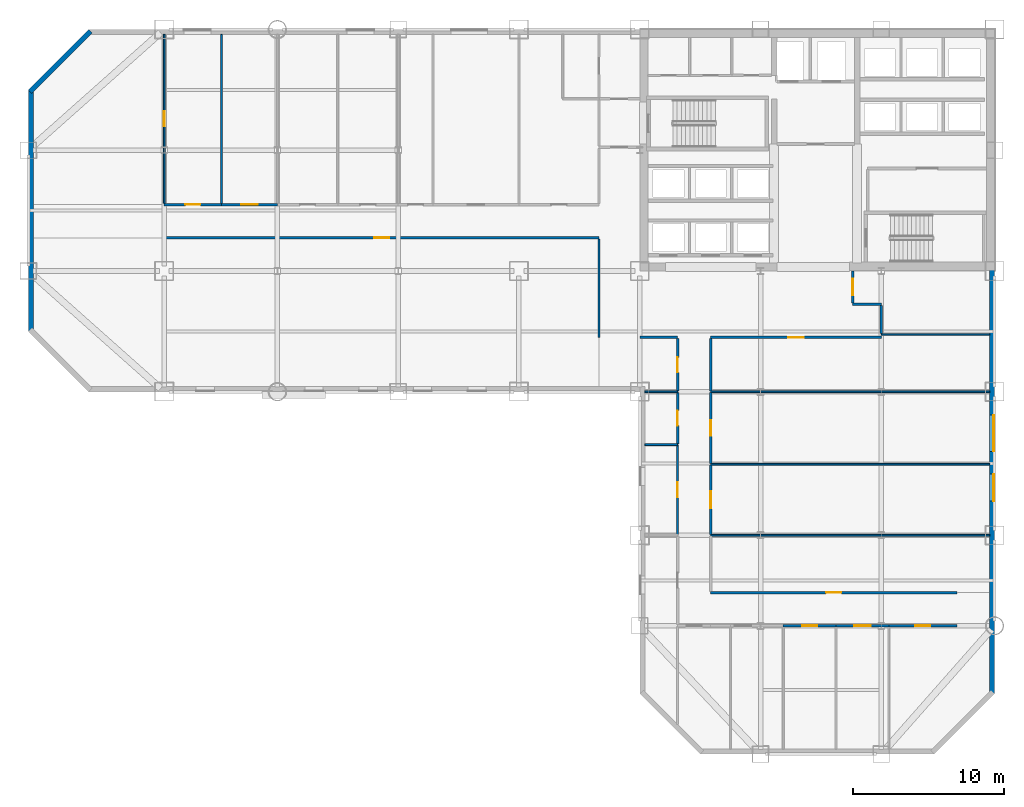
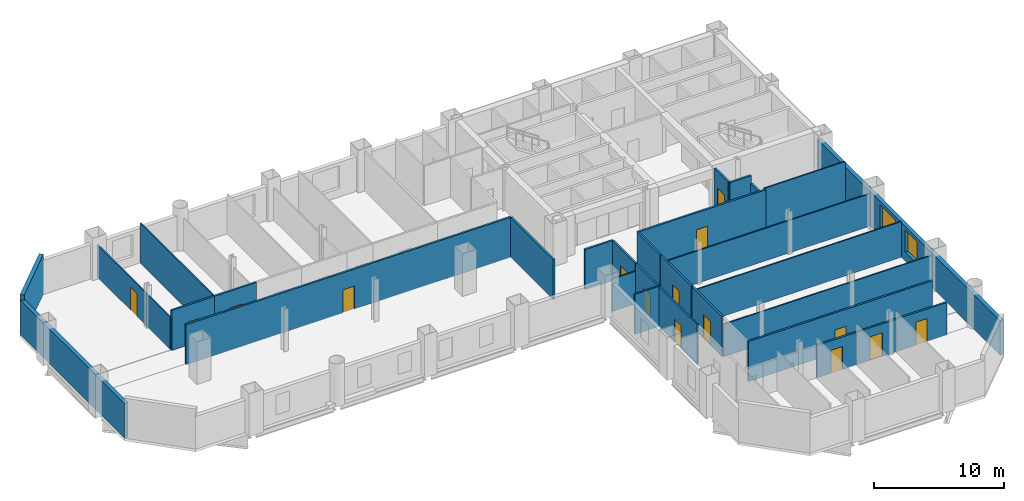
# One storey, part 5 of 9: 30 walls, 15 doors, 2 windows, 17 openings.
"""IFC4 building model written with IfcOpenShell, lengths in metres."""

from ifc_helpers import new_model, si_unit, direction, frame, frame_2d, origin, place, context, subcontext, project, spatial, rectangle, extrude, material, layer, layer_set, type_object, element, fill, save


model = new_model("IFC4")

# Units and contexts
model_context = context("Model", 3, precision=1e-05, world=origin(), true_north=direction((0.0, 1.0)))
body_context = subcontext(model_context, "Body", "Model", "MODEL_VIEW")
ifc_project = project(units=[si_unit("LENGTHUNIT", "METRE"), si_unit("AREAUNIT", "SQUARE_METRE"), si_unit("VOLUMEUNIT", "CUBIC_METRE"), si_unit("PLANEANGLEUNIT", "RADIAN"), si_unit("MASSUNIT", "GRAM", prefix="KILO")], contexts=[model_context])

# Site, building, storey
site_placement = place(None, origin())
site = spatial("IfcSite", under=ifc_project, at=site_placement, CompositionType="ELEMENT")
building_placement = place(site_placement, origin())
building = spatial("IfcBuilding", under=site, at=building_placement, Name="Qianrong Seaharbour Tower", CompositionType="ELEMENT")
storey_placement = place(building_placement, frame((0.0, 0.0, 40.199951171875)))
storey = spatial("IfcBuildingStorey", under=building, at=storey_placement, Name="L09", CompositionType="ELEMENT", Elevation=40.199951171875)

# Wall, opening, door
ifc_material_1 = material(Name="Fire-rated acoustic gypsum board partition")
ifc_layer_1 = layer(ifc_material_1, 0.1650390625)
ifc_layer_set_1 = layer_set([ifc_layer_1], Name="Fire-rated acoustic gypsum board partition")
wall_type_1 = type_object("IfcWallType", Name="WALL-CORR-PART-165", PredefinedType="PARTITIONING", material=ifc_layer_set_1)
wall_1_placement = place(storey_placement, frame((37.800048828125, 38.199951171875, 0.0), z_axis=(0.0, 0.0, 1.0), x_axis=(-1.0, 0.0, 0.0)))
wall_1 = element("IfcWall", 1, at=wall_1_placement, inside=storey, type_object=wall_type_1, Name="L09 Interior Partition Wall 015", PredefinedType="PARTITIONING", context=body_context, shape_type="SweptSolid", body=[
    extrude(rectangle(XDim=28.800048828125, YDim=0.1650390625, at=frame_2d((14.39990234375, 0.0))), origin(), (0.0, 0.0, 1.0), 3.75),
])
opening_1_placement = place(wall_1_placement, frame((13.89990234375, 0.0, 0.0)))
opening_1 = element("IfcOpeningElement", 2, at=opening_1_placement, cuts=wall_1, Name="Opening DO-01", PredefinedType="OPENING", context=body_context, shape_type="SweptSolid", body=[
    extrude(rectangle(XDim=1.0, YDim=2.14990234375, at=frame_2d((0.5, 1.074951171875))), frame((0.0, 0.092529296875, 0.0), z_axis=(0.0, -1.0, 0.0), x_axis=(1.0, 0.0, 0.0)), (0.0, 0.0, 1.0), 0.18505859375),
])
ifc_material_2 = material(Name="Acoustic timber and galvanized steel fire door assembly", Category="steel")
door_type_1 = type_object("IfcDoorType", Name="DOOR-OFFICE-1000x2150", OperationType="NOTDEFINED", PredefinedType="DOOR", material=ifc_material_2)
door_1_placement = place(opening_1_placement, origin())
door_1 = element("IfcDoor", 3, at=door_1_placement, inside=storey, type_object=door_type_1, Name="L09 Open-Plan Office Door", OperationType="SINGLE_SWING_LEFT", OverallHeight=2.14990234375, OverallWidth=1.0, PredefinedType="DOOR", context=body_context, shape_type="SweptSolid", body=[
    extrude(rectangle(XDim=1.0, YDim=2.14990234375, at=frame_2d((0.5, 1.074951171875))), frame((0.0, 0.02490234375, 0.0), z_axis=(0.0, -1.0, 0.0), x_axis=(1.0, 0.0, 0.0)), (0.0, 0.0, 1.0), 0.050048828125),
])
fill(opening_1, door_1)

wall_2_placement = place(storey_placement, frame((9.0, 40.39990234375, 0.0), z_axis=(0.0, 0.0, 1.0), x_axis=(1.0, 0.0, 0.0)))
wall_2 = element("IfcWall", 4, at=wall_2_placement, inside=storey, type_object=wall_type_1, Name="L09 Interior Partition Wall 016", PredefinedType="PARTITIONING", context=body_context, shape_type="SweptSolid", body=[
    extrude(rectangle(XDim=3.800048828125, YDim=0.1650390625, at=frame_2d((1.89990234375, 0.0))), origin(), (0.0, 0.0, 1.0), 3.75),
])
opening_2_placement = place(wall_2_placement, frame((1.39990234375, 0.0, 0.0)))
opening_2 = element("IfcOpeningElement", 5, at=opening_2_placement, cuts=wall_2, Name="Opening DO-01", PredefinedType="OPENING", context=body_context, shape_type="SweptSolid", body=[
    extrude(rectangle(XDim=1.0, YDim=2.14990234375, at=frame_2d((0.5, 1.074951171875))), frame((0.0, 0.092529296875, 0.0), z_axis=(0.0, -1.0, 0.0), x_axis=(1.0, 0.0, 0.0)), (0.0, 0.0, 1.0), 0.18505859375),
])
door_2_placement = place(opening_2_placement, origin())
door_2 = element("IfcDoor", 6, at=door_2_placement, inside=storey, type_object=door_type_1, Name="L09 Focus Room 2 Door", OperationType="SINGLE_SWING_LEFT", OverallHeight=2.14990234375, OverallWidth=1.0, PredefinedType="DOOR", context=body_context, shape_type="SweptSolid", body=[
    extrude(rectangle(XDim=1.0, YDim=2.14990234375, at=frame_2d((0.5, 1.074951171875))), frame((0.0, 0.02490234375, 0.0), z_axis=(0.0, -1.0, 0.0), x_axis=(1.0, 0.0, 0.0)), (0.0, 0.0, 1.0), 0.050048828125),
])
fill(opening_2, door_2)

wall_3_placement = place(storey_placement, frame((12.800048828125, 40.39990234375, 0.0), z_axis=(0.0, 0.0, 1.0), x_axis=(1.0, 0.0, 0.0)))
wall_3 = element("IfcWall", 7, at=wall_3_placement, inside=storey, type_object=wall_type_1, Name="L09 Interior Partition Wall 017", PredefinedType="PARTITIONING", context=body_context, shape_type="SweptSolid", body=[
    extrude(rectangle(XDim=3.699951171875, YDim=0.1650390625, at=frame_2d((1.85009765625, 0.0))), origin(), (0.0, 0.0, 1.0), 3.75),
])
opening_3_placement = place(wall_3_placement, frame((1.300048828125, 0.0, 0.0)))
opening_3 = element("IfcOpeningElement", 8, at=opening_3_placement, cuts=wall_3, Name="Opening DM-01", PredefinedType="OPENING", context=body_context, shape_type="SweptSolid", body=[
    extrude(rectangle(XDim=1.10009765625, YDim=2.199951171875, at=frame_2d((0.550048828125, 1.10009765625))), frame((0.0, 0.092529296875, 0.0), z_axis=(0.0, -1.0, 0.0), x_axis=(1.0, 0.0, 0.0)), (0.0, 0.0, 1.0), 0.18505859375),
])
door_type_2 = type_object("IfcDoorType", Name="DOOR-MEET-1100x2200", OperationType="NOTDEFINED", PredefinedType="DOOR", material=ifc_material_2)
door_3_placement = place(opening_3_placement, origin())
door_3 = element("IfcDoor", 9, at=door_3_placement, inside=storey, type_object=door_type_2, Name="L09 Meeting Room 3 Door", OperationType="SINGLE_SWING_RIGHT", OverallHeight=2.199951171875, OverallWidth=1.10009765625, PredefinedType="DOOR", context=body_context, shape_type="SweptSolid", body=[
    extrude(rectangle(XDim=1.10009765625, YDim=2.199951171875, at=frame_2d((0.550048828125, 1.10009765625))), frame((0.0, 0.02490234375, 0.0), z_axis=(0.0, -1.0, 0.0), x_axis=(1.0, 0.0, 0.0)), (0.0, 0.0, 1.0), 0.050048828125),
])
fill(opening_3, door_3)

# Wall
wall_4_placement = place(storey_placement, frame((37.800048828125, 31.60009765625, 0.0), z_axis=(0.0, 0.0, 1.0), x_axis=(0.0, 1.0, 0.0)))
element("IfcWall", 10, at=wall_4_placement, inside=storey, type_object=wall_type_1, Name="L09 Interior Partition Wall 023", PredefinedType="PARTITIONING", context=body_context, shape_type="SweptSolid", body=[
    extrude(rectangle(XDim=6.525390625, YDim=0.1650390625, at=frame_2d((3.2626953125, 0.0))), origin(), (0.0, 0.0, 1.0), 3.75),
])

# Wall, opening, door
wall_5_placement = place(storey_placement, frame((56.5, 31.60009765625, 0.0), z_axis=(0.0, 0.0, 1.0), x_axis=(-1.0, 0.0, 0.0)))
wall_5 = element("IfcWall", 11, at=wall_5_placement, inside=storey, type_object=wall_type_1, Name="L09 Interior Partition Wall 025", PredefinedType="PARTITIONING", context=body_context, shape_type="SweptSolid", body=[
    extrude(rectangle(XDim=11.300048828125, YDim=0.1650390625, at=frame_2d((5.64990234375, 0.0))), origin(), (0.0, 0.0, 1.0), 3.75),
])
opening_4_placement = place(wall_5_placement, frame((5.14990234375, 0.0, 0.0)))
opening_4 = element("IfcOpeningElement", 12, at=opening_4_placement, cuts=wall_5, Name="Opening DO-01", PredefinedType="OPENING", context=body_context, shape_type="SweptSolid", body=[
    extrude(rectangle(XDim=1.0, YDim=2.14990234375, at=frame_2d((0.5, 1.074951171875))), frame((0.0, 0.092529296875, 0.0), z_axis=(0.0, -1.0, 0.0), x_axis=(1.0, 0.0, 0.0)), (0.0, 0.0, 1.0), 0.18505859375),
])
door_4_placement = place(opening_4_placement, origin())
door_4 = element("IfcDoor", 13, at=door_4_placement, inside=storey, type_object=door_type_1, Name="L09 Executive Office 4 Door", OperationType="SINGLE_SWING_LEFT", OverallHeight=2.14990234375, OverallWidth=1.0, PredefinedType="DOOR", context=body_context, shape_type="SweptSolid", body=[
    extrude(rectangle(XDim=1.0, YDim=2.14990234375, at=frame_2d((0.5, 1.074951171875))), frame((0.0, 0.02490234375, 0.0), z_axis=(0.0, -1.0, 0.0), x_axis=(1.0, 0.0, 0.0)), (0.0, 0.0, 1.0), 0.050048828125),
])
fill(opening_4, door_4)

wall_6_placement = place(storey_placement, frame((54.60009765625, 36.0, 0.0), z_axis=(0.0, 0.0, 1.0), x_axis=(0.0, -1.0, 0.0)))
wall_6 = element("IfcWall", 14, at=wall_6_placement, inside=storey, type_object=wall_type_1, Name="L09 Interior Partition Wall 026", PredefinedType="PARTITIONING", context=body_context, shape_type="SweptSolid", body=[
    extrude(rectangle(XDim=2.12548828125, YDim=0.1650390625, at=frame_2d((1.062744140625, 0.0))), origin(), (0.0, 0.0, 1.0), 3.75),
])
opening_5_placement = place(wall_6_placement, frame((0.5126953125, 0.0, 0.0)))
opening_5 = element("IfcOpeningElement", 15, at=opening_5_placement, cuts=wall_6, Name="Opening DM-01", PredefinedType="OPENING", context=body_context, shape_type="SweptSolid", body=[
    extrude(rectangle(XDim=1.10009765625, YDim=2.199951171875, at=frame_2d((0.550048828125, 1.10009765625))), frame((0.0, 0.092529296875, 0.0), z_axis=(0.0, -1.0, 0.0), x_axis=(1.0, 0.0, 0.0)), (0.0, 0.0, 1.0), 0.18505859375),
])
door_5_placement = place(opening_5_placement, origin())
door_5 = element("IfcDoor", 16, at=door_5_placement, inside=storey, type_object=door_type_2, Name="L09 Boardroom 5 Door", OperationType="SINGLE_SWING_RIGHT", OverallHeight=2.199951171875, OverallWidth=1.10009765625, PredefinedType="DOOR", context=body_context, shape_type="SweptSolid", body=[
    extrude(rectangle(XDim=1.10009765625, YDim=2.199951171875, at=frame_2d((0.550048828125, 1.10009765625))), frame((0.0, 0.02490234375, 0.0), z_axis=(0.0, -1.0, 0.0), x_axis=(1.0, 0.0, 0.0)), (0.0, 0.0, 1.0), 0.050048828125),
])
fill(opening_5, door_5)

# Walls
wall_7_placement = place(storey_placement, frame((54.60009765625, 33.800048828125, 0.0), z_axis=(0.0, 0.0, 1.0), x_axis=(1.0, 0.0, 0.0)))
element("IfcWall", 17, at=wall_7_placement, inside=storey, type_object=wall_type_1, Name="L09 Interior Partition Wall 027", PredefinedType="PARTITIONING", context=body_context, shape_type="SweptSolid", body=[
    extrude(rectangle(XDim=1.89990234375, YDim=0.1650390625, at=frame_2d((0.949951171875, 0.0))), origin(), (0.0, 0.0, 1.0), 3.75),
])
wall_8_placement = place(storey_placement, frame((56.5, 33.7255859375, 0.0), z_axis=(0.0, 0.0, 1.0), x_axis=(0.0, -1.0, 0.0)))
element("IfcWall", 18, at=wall_8_placement, inside=storey, type_object=wall_type_1, Name="L09 Interior Partition Wall 028", PredefinedType="PARTITIONING", context=body_context, shape_type="SweptSolid", body=[
    extrude(rectangle(XDim=1.878662109375, YDim=0.1650390625, at=frame_2d((0.939453125, 0.0))), origin(), (0.0, 0.0, 1.0), 3.0419921875),
])
wall_9_placement = place(storey_placement, frame((43.0, 31.60009765625, 0.0), z_axis=(0.0, 0.0, 1.0), x_axis=(-1.0, 0.0, 0.0)))
element("IfcWall", 19, at=wall_9_placement, inside=storey, type_object=wall_type_1, Name="L09 Interior Partition Wall 029", PredefinedType="PARTITIONING", context=body_context, shape_type="SweptSolid", body=[
    extrude(rectangle(XDim=2.5, YDim=0.1650390625, at=frame_2d((1.25, 0.0))), origin(), (0.0, 0.0, 1.0), 3.75),
])

# Wall, opening, door
wall_10_placement = place(storey_placement, frame((45.199951171875, 23.153076171875, 0.0), z_axis=(0.0, 0.0, 1.0), x_axis=(0.0, -1.0, 0.0)))
wall_10 = element("IfcWall", 20, at=wall_10_placement, inside=storey, type_object=wall_type_1, Name="L09 Interior Partition Wall 031", PredefinedType="PARTITIONING", context=body_context, shape_type="SweptSolid", body=[
    extrude(rectangle(XDim=4.60595703125, YDim=0.1650390625, at=frame_2d((2.302978515625, 0.0))), origin(), (0.0, 0.0, 1.0), 3.75),
])
opening_6_placement = place(wall_10_placement, frame((1.7529296875, 0.0, 0.0)))
opening_6 = element("IfcOpeningElement", 21, at=opening_6_placement, cuts=wall_10, Name="Opening DM-01", PredefinedType="OPENING", context=body_context, shape_type="SweptSolid", body=[
    extrude(rectangle(XDim=1.10009765625, YDim=2.199951171875, at=frame_2d((0.550048828125, 1.10009765625))), frame((0.0, 0.092529296875, 0.0), z_axis=(0.0, -1.0, 0.0), x_axis=(1.0, 0.0, 0.0)), (0.0, 0.0, 1.0), 0.18505859375),
])
door_6_placement = place(opening_6_placement, origin())
door_6 = element("IfcDoor", 22, at=door_6_placement, inside=storey, type_object=door_type_2, Name="L09 Boardroom 2 Door", OperationType="SINGLE_SWING_LEFT", OverallHeight=2.199951171875, OverallWidth=1.10009765625, PredefinedType="DOOR", context=body_context, shape_type="SweptSolid", body=[
    extrude(rectangle(XDim=1.10009765625, YDim=2.199951171875, at=frame_2d((0.550048828125, 1.10009765625))), frame((0.0, 0.02490234375, 0.0), z_axis=(0.0, -1.0, 0.0), x_axis=(1.0, 0.0, 0.0)), (0.0, 0.0, 1.0), 0.050048828125),
])
fill(opening_6, door_6)

wall_11_placement = place(storey_placement, frame((45.199951171875, 27.952880859375, 0.0), z_axis=(0.0, 0.0, 1.0), x_axis=(0.0, -1.0, 0.0)))
wall_11 = element("IfcWall", 23, at=wall_11_placement, inside=storey, type_object=wall_type_1, Name="L09 Interior Partition Wall 032", PredefinedType="PARTITIONING", context=body_context, shape_type="SweptSolid", body=[
    extrude(rectangle(XDim=4.705810546875, YDim=0.1650390625, at=frame_2d((2.35302734375, 0.0))), origin(), (0.0, 0.0, 1.0), 3.75),
])
opening_7_placement = place(wall_11_placement, frame((1.85302734375, 0.0, 0.0)))
opening_7 = element("IfcOpeningElement", 24, at=opening_7_placement, cuts=wall_11, Name="Opening DO-01", PredefinedType="OPENING", context=body_context, shape_type="SweptSolid", body=[
    extrude(rectangle(XDim=1.0, YDim=2.14990234375, at=frame_2d((0.5, 1.074951171875))), frame((0.0, 0.092529296875, 0.0), z_axis=(0.0, -1.0, 0.0), x_axis=(1.0, 0.0, 0.0)), (0.0, 0.0, 1.0), 0.18505859375),
])
door_7_placement = place(opening_7_placement, origin())
door_7 = element("IfcDoor", 25, at=door_7_placement, inside=storey, type_object=door_type_1, Name="L09 Focus Room 3 Door", OperationType="SINGLE_SWING_RIGHT", OverallHeight=2.14990234375, OverallWidth=1.0, PredefinedType="DOOR", context=body_context, shape_type="SweptSolid", body=[
    extrude(rectangle(XDim=1.0, YDim=2.14990234375, at=frame_2d((0.5, 1.074951171875))), frame((0.0, 0.02490234375, 0.0), z_axis=(0.0, -1.0, 0.0), x_axis=(1.0, 0.0, 0.0)), (0.0, 0.0, 1.0), 0.050048828125),
])
fill(opening_7, door_7)

# Wall
wall_12_placement = place(storey_placement, frame((45.199951171875, 31.525390625, 0.0), z_axis=(0.0, 0.0, 1.0), x_axis=(0.0, -1.0, 0.0)))
element("IfcWall", 26, at=wall_12_placement, inside=storey, type_object=wall_type_1, Name="L09 Interior Partition Wall 033", PredefinedType="PARTITIONING", context=body_context, shape_type="SweptSolid", body=[
    extrude(rectangle(XDim=3.478271484375, YDim=0.1650390625, at=frame_2d((1.7392578125, 0.0))), origin(), (0.0, 0.0, 1.0), 3.75),
])

# Wall, opening, door
wall_13_placement = place(storey_placement, frame((43.0, 24.556884765625, 0.0), z_axis=(0.0, 0.0, 1.0), x_axis=(0.0, 1.0, 0.0)))
wall_13 = element("IfcWall", 27, at=wall_13_placement, inside=storey, type_object=wall_type_1, Name="L09 Interior Partition Wall 036", PredefinedType="PARTITIONING", context=body_context, shape_type="SweptSolid", body=[
    extrude(rectangle(XDim=3.39599609375, YDim=0.1650390625, at=frame_2d((1.697998046875, 0.0))), origin(), (0.0, 0.0, 1.0), 3.75),
])
opening_8_placement = place(wall_13_placement, frame((1.197998046875, 0.0, 0.0)))
opening_8 = element("IfcOpeningElement", 28, at=opening_8_placement, cuts=wall_13, Name="Opening DO-01", PredefinedType="OPENING", context=body_context, shape_type="SweptSolid", body=[
    extrude(rectangle(XDim=1.0, YDim=2.14990234375, at=frame_2d((0.5, 1.074951171875))), frame((0.0, 0.092529296875, 0.0), z_axis=(0.0, -1.0, 0.0), x_axis=(1.0, 0.0, 0.0)), (0.0, 0.0, 1.0), 0.18505859375),
])
door_8_placement = place(opening_8_placement, origin())
door_8 = element("IfcDoor", 29, at=door_8_placement, inside=storey, type_object=door_type_1, Name="L09 Focus Room 3 Door", OperationType="SINGLE_SWING_LEFT", OverallHeight=2.14990234375, OverallWidth=1.0, PredefinedType="DOOR", context=body_context, shape_type="SweptSolid", body=[
    extrude(rectangle(XDim=1.0, YDim=2.14990234375, at=frame_2d((0.5, 1.074951171875))), frame((0.0, 0.02490234375, 0.0), z_axis=(0.0, -1.0, 0.0), x_axis=(1.0, 0.0, 0.0)), (0.0, 0.0, 1.0), 0.050048828125),
])
fill(opening_8, door_8)

wall_14_placement = place(storey_placement, frame((43.0, 28.047119140625, 0.0), z_axis=(0.0, 0.0, 1.0), x_axis=(0.0, 1.0, 0.0)))
wall_14 = element("IfcWall", 30, at=wall_14_placement, inside=storey, type_object=wall_type_1, Name="L09 Interior Partition Wall 037", PredefinedType="PARTITIONING", context=body_context, shape_type="SweptSolid", body=[
    extrude(rectangle(XDim=3.478271484375, YDim=0.1650390625, at=frame_2d((1.7392578125, 0.0))), origin(), (0.0, 0.0, 1.0), 3.75),
])
opening_9_placement = place(wall_14_placement, frame((1.2392578125, 0.0, 0.0)))
opening_9 = element("IfcOpeningElement", 31, at=opening_9_placement, cuts=wall_14, Name="Opening DO-01", PredefinedType="OPENING", context=body_context, shape_type="SweptSolid", body=[
    extrude(rectangle(XDim=1.0, YDim=2.14990234375, at=frame_2d((0.5, 1.074951171875))), frame((0.0, 0.092529296875, 0.0), z_axis=(0.0, -1.0, 0.0), x_axis=(1.0, 0.0, 0.0)), (0.0, 0.0, 1.0), 0.18505859375),
])
door_9_placement = place(opening_9_placement, origin())
door_9 = element("IfcDoor", 32, at=door_9_placement, inside=storey, type_object=door_type_1, Name="L09 Executive Office 4 Door", OperationType="SINGLE_SWING_RIGHT", OverallHeight=2.14990234375, OverallWidth=1.0, PredefinedType="DOOR", context=body_context, shape_type="SweptSolid", body=[
    extrude(rectangle(XDim=1.0, YDim=2.14990234375, at=frame_2d((0.5, 1.074951171875))), frame((0.0, 0.02490234375, 0.0), z_axis=(0.0, -1.0, 0.0), x_axis=(1.0, 0.0, 0.0)), (0.0, 0.0, 1.0), 0.050048828125),
])
fill(opening_9, door_9)

wall_15_placement = place(storey_placement, frame((45.199951171875, 14.699951171875, 0.0), z_axis=(0.0, 0.0, 1.0), x_axis=(1.0, 0.0, 0.0)))
wall_15 = element("IfcWall", 33, at=wall_15_placement, inside=storey, type_object=wall_type_1, Name="L09 Interior Partition Wall 039", PredefinedType="PARTITIONING", context=body_context, shape_type="SweptSolid", body=[
    extrude(rectangle(XDim=16.300048828125, YDim=0.1650390625, at=frame_2d((8.14990234375, 0.0))), origin(), (0.0, 0.0, 1.0), 3.75),
])
opening_10_placement = place(wall_15_placement, frame((7.64990234375, 0.0, 0.0)))
opening_10 = element("IfcOpeningElement", 34, at=opening_10_placement, cuts=wall_15, Name="Opening DO-01", PredefinedType="OPENING", context=body_context, shape_type="SweptSolid", body=[
    extrude(rectangle(XDim=1.0, YDim=2.14990234375, at=frame_2d((0.5, 1.074951171875))), frame((0.0, 0.092529296875, 0.0), z_axis=(0.0, -1.0, 0.0), x_axis=(1.0, 0.0, 0.0)), (0.0, 0.0, 1.0), 0.18505859375),
])
door_10_placement = place(opening_10_placement, origin())
door_10 = element("IfcDoor", 35, at=door_10_placement, inside=storey, type_object=door_type_1, Name="L09 Executive Office 1 Door", OperationType="SINGLE_SWING_RIGHT", OverallHeight=2.14990234375, OverallWidth=1.0, PredefinedType="DOOR", context=body_context, shape_type="SweptSolid", body=[
    extrude(rectangle(XDim=1.0, YDim=2.14990234375, at=frame_2d((0.5, 1.074951171875))), frame((0.0, 0.02490234375, 0.0), z_axis=(0.0, -1.0, 0.0), x_axis=(1.0, 0.0, 0.0)), (0.0, 0.0, 1.0), 0.050048828125),
])
fill(opening_10, door_10)

wall_16_placement = place(storey_placement, frame((53.5, 12.5, 0.0), z_axis=(0.0, 0.0, 1.0), x_axis=(-1.0, 0.0, 0.0)))
wall_16 = element("IfcWall", 36, at=wall_16_placement, inside=storey, type_object=wall_type_1, Name="L09 Interior Partition Wall 042", PredefinedType="PARTITIONING", context=body_context, shape_type="SweptSolid", body=[
    extrude(rectangle(XDim=3.5, YDim=0.1650390625, at=frame_2d((1.75, 0.0))), origin(), (0.0, 0.0, 1.0), 3.0419921875),
])
opening_11_placement = place(wall_16_placement, frame((1.25, 0.0, 0.0)))
opening_11 = element("IfcOpeningElement", 37, at=opening_11_placement, cuts=wall_16, Name="Opening DO-01", PredefinedType="OPENING", context=body_context, shape_type="SweptSolid", body=[
    extrude(rectangle(XDim=1.0, YDim=2.14990234375, at=frame_2d((0.5, 1.074951171875))), frame((0.0, 0.092529296875, 0.0), z_axis=(0.0, -1.0, 0.0), x_axis=(1.0, 0.0, 0.0)), (0.0, 0.0, 1.0), 0.18505859375),
])
door_11_placement = place(opening_11_placement, origin())
door_11 = element("IfcDoor", 38, at=door_11_placement, inside=storey, type_object=door_type_1, Name="L09 Executive Office 3 Door", OperationType="SINGLE_SWING_LEFT", OverallHeight=2.14990234375, OverallWidth=1.0, PredefinedType="DOOR", context=body_context, shape_type="SweptSolid", body=[
    extrude(rectangle(XDim=1.0, YDim=2.14990234375, at=frame_2d((0.5, 1.074951171875))), frame((0.0, 0.02490234375, 0.0), z_axis=(0.0, -1.0, 0.0), x_axis=(1.0, 0.0, 0.0)), (0.0, 0.0, 1.0), 0.050048828125),
])
fill(opening_11, door_11)

wall_17_placement = place(storey_placement, frame((57.0, 12.5, 0.0), z_axis=(0.0, 0.0, 1.0), x_axis=(-1.0, 0.0, 0.0)))
wall_17 = element("IfcWall", 39, at=wall_17_placement, inside=storey, type_object=wall_type_1, Name="L09 Interior Partition Wall 043", PredefinedType="PARTITIONING", context=body_context, shape_type="SweptSolid", body=[
    extrude(rectangle(XDim=3.5, YDim=0.1650390625, at=frame_2d((1.75, 0.0))), origin(), (0.0, 0.0, 1.0), 3.0419921875),
])
opening_12_placement = place(wall_17_placement, frame((1.199951171875, 0.0, 0.0)))
opening_12 = element("IfcOpeningElement", 40, at=opening_12_placement, cuts=wall_17, Name="Opening DM-01", PredefinedType="OPENING", context=body_context, shape_type="SweptSolid", body=[
    extrude(rectangle(XDim=1.10009765625, YDim=2.199951171875, at=frame_2d((0.550048828125, 1.10009765625))), frame((0.0, 0.092529296875, 0.0), z_axis=(0.0, -1.0, 0.0), x_axis=(1.0, 0.0, 0.0)), (0.0, 0.0, 1.0), 0.18505859375),
])
door_12_placement = place(opening_12_placement, origin())
door_12 = element("IfcDoor", 41, at=door_12_placement, inside=storey, type_object=door_type_2, Name="L09 Meeting Room 4 Door", OperationType="SINGLE_SWING_RIGHT", OverallHeight=2.199951171875, OverallWidth=1.10009765625, PredefinedType="DOOR", context=body_context, shape_type="SweptSolid", body=[
    extrude(rectangle(XDim=1.10009765625, YDim=2.199951171875, at=frame_2d((0.550048828125, 1.10009765625))), frame((0.0, 0.02490234375, 0.0), z_axis=(0.0, -1.0, 0.0), x_axis=(1.0, 0.0, 0.0)), (0.0, 0.0, 1.0), 0.050048828125),
])
fill(opening_12, door_12)

wall_18_placement = place(storey_placement, frame((61.5, 12.5, 0.0), z_axis=(0.0, 0.0, 1.0), x_axis=(-1.0, 0.0, 0.0)))
wall_18 = element("IfcWall", 42, at=wall_18_placement, inside=storey, type_object=wall_type_1, Name="L09 Interior Partition Wall 044", PredefinedType="PARTITIONING", context=body_context, shape_type="SweptSolid", body=[
    extrude(rectangle(XDim=4.5, YDim=0.1650390625, at=frame_2d((2.25, 0.0))), origin(), (0.0, 0.0, 1.0), 3.0419921875),
])
opening_13_placement = place(wall_18_placement, frame((1.75, 0.0, 0.0)))
opening_13 = element("IfcOpeningElement", 43, at=opening_13_placement, cuts=wall_18, Name="Opening DO-01", PredefinedType="OPENING", context=body_context, shape_type="SweptSolid", body=[
    extrude(rectangle(XDim=1.0, YDim=2.14990234375, at=frame_2d((0.5, 1.074951171875))), frame((0.0, 0.092529296875, 0.0), z_axis=(0.0, -1.0, 0.0), x_axis=(1.0, 0.0, 0.0)), (0.0, 0.0, 1.0), 0.18505859375),
])
door_13_placement = place(opening_13_placement, origin())
door_13 = element("IfcDoor", 44, at=door_13_placement, inside=storey, type_object=door_type_1, Name="L09 Executive Office 5 Door", OperationType="SINGLE_SWING_LEFT", OverallHeight=2.14990234375, OverallWidth=1.0, PredefinedType="DOOR", context=body_context, shape_type="SweptSolid", body=[
    extrude(rectangle(XDim=1.0, YDim=2.14990234375, at=frame_2d((0.5, 1.074951171875))), frame((0.0, 0.02490234375, 0.0), z_axis=(0.0, -1.0, 0.0), x_axis=(1.0, 0.0, 0.0)), (0.0, 0.0, 1.0), 0.050048828125),
])
fill(opening_13, door_13)

ifc_material_3 = material(Name="Demountable aluminium-framed acoustic office partition", Category="aluminium")
ifc_layer_2 = layer(ifc_material_3, 0.110107421875)
ifc_layer_set_2 = layer_set([ifc_layer_2], Name="Demountable aluminium-framed acoustic office partition")
wall_type_2 = type_object("IfcWallType", Name="WALL-DEMOUNT-110", PredefinedType="MOVABLE", material=ifc_layer_set_2)
wall_19_placement = place(storey_placement, frame((9.0, 51.66796875, 0.0), z_axis=(0.0, 0.0, 1.0), x_axis=(0.0, -1.0, 0.0)))
wall_19 = element("IfcWall", 45, at=wall_19_placement, inside=storey, type_object=wall_type_2, Name="L09 Interior Partition Wall 045", PredefinedType="MOVABLE", context=body_context, shape_type="SweptSolid", body=[
    extrude(rectangle(XDim=11.193359375, YDim=0.110107421875, at=frame_2d((5.5966796875, 0.0))), origin(), (0.0, 0.0, 1.0), 3.0419921875),
])
opening_14_placement = place(wall_19_placement, frame((5.0966796875, 0.0, 0.0)))
opening_14 = element("IfcOpeningElement", 46, at=opening_14_placement, cuts=wall_19, Name="Opening DO-01", PredefinedType="OPENING", context=body_context, shape_type="SweptSolid", body=[
    extrude(rectangle(XDim=1.0, YDim=2.14990234375, at=frame_2d((0.5, 1.074951171875))), frame((0.0, 0.06494140625, 0.0), z_axis=(0.0, -1.0, 0.0), x_axis=(1.0, 0.0, 0.0)), (0.0, 0.0, 1.0), 0.130126953125),
])
door_14_placement = place(opening_14_placement, origin())
door_14 = element("IfcDoor", 47, at=door_14_placement, inside=storey, type_object=door_type_1, Name="L09 Executive Office 1 Door", OperationType="SINGLE_SWING_RIGHT", OverallHeight=2.14990234375, OverallWidth=1.0, PredefinedType="DOOR", context=body_context, shape_type="SweptSolid", body=[
    extrude(rectangle(XDim=1.0, YDim=2.14990234375, at=frame_2d((0.5, 1.074951171875))), frame((0.0, 0.02490234375, 0.0), z_axis=(0.0, -1.0, 0.0), x_axis=(1.0, 0.0, 0.0)), (0.0, 0.0, 1.0), 0.050048828125),
])
fill(opening_14, door_14)

# Walls
wall_20_placement = place(storey_placement, frame((12.800048828125, 51.66796875, 0.0), z_axis=(0.0, 0.0, 1.0), x_axis=(0.0, -1.0, 0.0)))
element("IfcWall", 48, at=wall_20_placement, inside=storey, type_object=wall_type_2, Name="L09 Interior Partition Wall 046", PredefinedType="MOVABLE", context=body_context, shape_type="SweptSolid", body=[
    extrude(rectangle(XDim=11.193359375, YDim=0.110107421875, at=frame_2d((5.5966796875, 0.0))), origin(), (0.0, 0.0, 1.0), 3.75),
])
wall_21_placement = place(storey_placement, frame((45.199951171875, 18.5, 0.0), z_axis=(0.0, 0.0, 1.0), x_axis=(1.0, 0.0, 0.0)))
element("IfcWall", 49, at=wall_21_placement, inside=storey, type_object=wall_type_2, Name="L09 Interior Partition Wall 052", PredefinedType="MOVABLE", context=body_context, shape_type="SweptSolid", body=[
    extrude(rectangle(XDim=18.468017578125, YDim=0.110107421875, at=frame_2d((9.23388671875, 0.0))), origin(), (0.0, 0.0, 1.0), 3.0419921875),
])
wall_22_placement = place(storey_placement, frame((45.199951171875, 23.199951171875, 0.0), z_axis=(0.0, 0.0, 1.0), x_axis=(1.0, 0.0, 0.0)))
element("IfcWall", 50, at=wall_22_placement, inside=storey, type_object=wall_type_2, Name="L09 Interior Partition Wall 053", PredefinedType="MOVABLE", context=body_context, shape_type="SweptSolid", body=[
    extrude(rectangle(XDim=18.468017578125, YDim=0.110107421875, at=frame_2d((9.23388671875, 0.0))), origin(), (0.0, 0.0, 1.0), 3.342041015625),
])
wall_23_placement = place(storey_placement, frame((45.199951171875, 28.0, 0.0), z_axis=(0.0, 0.0, 1.0), x_axis=(1.0, 0.0, 0.0)))
element("IfcWall", 51, at=wall_23_placement, inside=storey, type_object=wall_type_2, Name="L09 Interior Partition Wall 054", PredefinedType="MOVABLE", context=body_context, shape_type="SweptSolid", body=[
    extrude(rectangle(XDim=18.468017578125, YDim=0.110107421875, at=frame_2d((9.23388671875, 0.0))), origin(), (0.0, 0.0, 1.0), 3.0419921875),
])
wall_24_placement = place(storey_placement, frame((56.5, 31.800048828125, 0.0), z_axis=(0.0, 0.0, 1.0), x_axis=(1.0, 0.0, 0.0)))
element("IfcWall", 52, at=wall_24_placement, inside=storey, type_object=wall_type_2, Name="L09 Interior Partition Wall 055", PredefinedType="MOVABLE", context=body_context, shape_type="SweptSolid", body=[
    extrude(rectangle(XDim=7.16796875, YDim=0.110107421875, at=frame_2d((3.583984375, 0.0))), origin(), (0.0, 0.0, 1.0), 3.75),
])
wall_25_placement = place(storey_placement, frame((40.83203125, 28.0, 0.0), z_axis=(0.0, 0.0, 1.0), x_axis=(1.0, 0.0, 0.0)))
element("IfcWall", 53, at=wall_25_placement, inside=storey, type_object=wall_type_2, Name="L09 Interior Partition Wall 059", PredefinedType="MOVABLE", context=body_context, shape_type="SweptSolid", body=[
    extrude(rectangle(XDim=2.16796875, YDim=0.110107421875, at=frame_2d((1.083984375, 0.0))), origin(), (0.0, 0.0, 1.0), 3.0419921875),
])
ifc_material_4 = material(Name="Unitised buff brick on Precast concrete C45/55", Category="masonry")
ifc_layer_3 = layer(ifc_material_4, 0.340087890625)
ifc_layer_set_3 = layer_set([ifc_layer_3], Name="Unitised buff brick on Precast concrete C45/55")
wall_type_3 = type_object("IfcWallType", Name="WALL-EXT-BRICK-BUFF-340", PredefinedType="SOLIDWALL", material=ifc_layer_set_3)
wall_26_placement = place(storey_placement, frame((0.169921875, 32.0, 0.0), z_axis=(0.0, 0.0, 1.0), x_axis=(0.0, 1.0, 0.0)))
element("IfcWall", 54, at=wall_26_placement, inside=storey, type_object=wall_type_3, Name="L09 Exterior Masonry Facade Wall WEST_TIP", PredefinedType="SOLIDWALL", context=body_context, shape_type="SweptSolid", body=[
    extrude(rectangle(XDim=16.0, YDim=0.340087890625, at=frame_2d((8.0, 0.0))), origin(), (0.0, 0.0, 1.0), 3.25),
])
wall_27_placement = place(storey_placement, frame((0.1201171875, 47.8798828125, 0.0), z_axis=(0.0, 0.0, 1.0), x_axis=(0.707106781187, 0.707106781187, 0.0)))
element("IfcWall", 55, at=wall_27_placement, inside=storey, type_object=wall_type_3, Name="L09 Exterior Masonry Facade Wall E04", PredefinedType="SOLIDWALL", context=body_context, shape_type="SweptSolid", body=[
    extrude(rectangle(XDim=5.65673828125, YDim=0.340087890625, at=frame_2d((2.828369140625, 0.0))), origin(), (0.0, 0.0, 1.0), 3.75),
])

# Wall, openings, windows
wall_28_placement = place(storey_placement, frame((63.830078125, 36.050048828125, 0.0), z_axis=(0.0, 0.0, 1.0), x_axis=(0.0, -1.0, 0.0)))
wall_28 = element("IfcWall", 56, at=wall_28_placement, inside=storey, type_object=wall_type_3, Name="L09 Exterior Masonry Facade Wall EAST_WING", PredefinedType="SOLIDWALL", context=body_context, shape_type="SweptSolid", body=[
    extrude(rectangle(XDim=28.050048828125, YDim=0.340087890625, at=frame_2d((14.02490234375, 0.0))), origin(), (0.0, 0.0, 1.0), 3.25),
])
opening_15_placement = place(wall_28_placement, frame((9.60009765625, 0.0, 0.800048828125)))
opening_15 = element("IfcOpeningElement", 57, at=opening_15_placement, cuts=wall_28, Name="Opening WN-07", PredefinedType="OPENING", context=body_context, shape_type="SweptSolid", body=[
    extrude(rectangle(XDim=2.39990234375, YDim=2.14990234375, at=frame_2d((1.199951171875, 1.074951171875))), frame((0.0, 0.18017578125, 0.0), z_axis=(0.0, -1.0, 0.0), x_axis=(1.0, 0.0, 0.0)), (0.0, 0.0, 1.0), 0.360107421875),
])
opening_16_placement = place(wall_28_placement, frame((13.5, 0.0, 0.85009765625)))
opening_16 = element("IfcOpeningElement", 58, at=opening_16_placement, cuts=wall_28, Name="Opening WN-05", PredefinedType="OPENING", context=body_context, shape_type="SweptSolid", body=[
    extrude(rectangle(XDim=1.800048828125, YDim=2.050048828125, at=frame_2d((0.89990234375, 1.02490234375))), frame((0.0, 0.18017578125, 0.0), z_axis=(0.0, -1.0, 0.0), x_axis=(1.0, 0.0, 0.0)), (0.0, 0.0, 1.0), 0.360107421875),
])
ifc_material_5 = material(Name="Insulated low-e double glazing in thermally broken aluminium 6063-T6 frame", Category="aluminium")
window_type_1 = type_object("IfcWindowType", Name="WIN-PUNCH-1800x2050", PartitioningType="TRIPLE_PANEL_VERTICAL", PredefinedType="WINDOW", material=ifc_material_5)
window_1_placement = place(opening_16_placement, origin())
window_1 = element("IfcWindow", 59, at=window_1_placement, inside=storey, type_object=window_type_1, Name="L09 Deep-Set Punched Window 06.04", OverallHeight=2.050048828125, OverallWidth=1.800048828125, PartitioningType="TRIPLE_PANEL_VERTICAL", PredefinedType="WINDOW", context=body_context, shape_type="SweptSolid", body=[
    extrude(rectangle(XDim=1.800048828125, YDim=2.050048828125, at=frame_2d((0.89990234375, 1.02490234375))), frame((0.0, 0.150146484375, 0.0), z_axis=(0.0, -1.0, 0.0), x_axis=(1.0, 0.0, 0.0)), (0.0, 0.0, 1.0), 0.06005859375),
])
fill(opening_16, window_1)
window_type_2 = type_object("IfcWindowType", Name="WIN-PUNCH-2400x2150", PartitioningType="TRIPLE_PANEL_VERTICAL", PredefinedType="WINDOW", material=ifc_material_5)
window_2_placement = place(opening_15_placement, origin())
window_2 = element("IfcWindow", 60, at=window_2_placement, inside=storey, type_object=window_type_2, Name="L09 Deep-Set Punched Window 06.03", OverallHeight=2.14990234375, OverallWidth=2.39990234375, PartitioningType="TRIPLE_PANEL_VERTICAL", PredefinedType="WINDOW", context=body_context, shape_type="SweptSolid", body=[
    extrude(rectangle(XDim=2.39990234375, YDim=2.14990234375, at=frame_2d((1.199951171875, 1.074951171875))), frame((0.0, 0.150146484375, 0.0), z_axis=(0.0, -1.0, 0.0), x_axis=(1.0, 0.0, 0.0)), (0.0, 0.0, 1.0), 0.06005859375),
])
fill(opening_15, window_2)

# Wall, opening, door
ifc_material_6 = material(Name="Water-resistant cement board sanitary partition")
ifc_layer_4 = layer(ifc_material_6, 0.1298828125)
ifc_layer_set_4 = layer_set([ifc_layer_4], Name="Water-resistant cement board sanitary partition")
wall_type_4 = type_object("IfcWallType", Name="WALL-WET-PART-130", PredefinedType="PARTITIONING", material=ifc_layer_set_4)
wall_29_placement = place(storey_placement, frame((43.0, 18.556884765625, 0.0), z_axis=(0.0, 0.0, 1.0), x_axis=(0.0, 1.0, 0.0)))
wall_29 = element("IfcWall", 61, at=wall_29_placement, inside=storey, type_object=wall_type_4, Name="L09 Interior Partition Wall 035", PredefinedType="PARTITIONING", context=body_context, shape_type="SweptSolid", body=[
    extrude(rectangle(XDim=5.88623046875, YDim=0.1298828125, at=frame_2d((2.943115234375, 0.0))), origin(), (0.0, 0.0, 1.0), 3.75),
])
opening_17_placement = place(wall_29_placement, frame((2.443115234375, 0.0, 0.0)))
opening_17 = element("IfcOpeningElement", 62, at=opening_17_placement, cuts=wall_29, Name="Opening DO-01", PredefinedType="OPENING", context=body_context, shape_type="SweptSolid", body=[
    extrude(rectangle(XDim=1.0, YDim=2.14990234375, at=frame_2d((0.5, 1.074951171875))), frame((0.0, 0.074951171875, 0.0), z_axis=(0.0, -1.0, 0.0), x_axis=(1.0, 0.0, 0.0)), (0.0, 0.0, 1.0), 0.14990234375),
])
door_15_placement = place(opening_17_placement, origin())
door_15 = element("IfcDoor", 63, at=door_15_placement, inside=storey, type_object=door_type_1, Name="L09 Wet Pantry 2 Door", OperationType="SINGLE_SWING_RIGHT", OverallHeight=2.14990234375, OverallWidth=1.0, PredefinedType="DOOR", context=body_context, shape_type="SweptSolid", body=[
    extrude(rectangle(XDim=1.0, YDim=2.14990234375, at=frame_2d((0.5, 1.074951171875))), frame((0.0, 0.02490234375, 0.0), z_axis=(0.0, -1.0, 0.0), x_axis=(1.0, 0.0, 0.0)), (0.0, 0.0, 1.0), 0.050048828125),
])
fill(opening_17, door_15)

# Wall
wall_30_placement = place(storey_placement, frame((40.83203125, 24.5, 0.0), z_axis=(0.0, 0.0, 1.0), x_axis=(1.0, 0.0, 0.0)))
element("IfcWall", 64, at=wall_30_placement, inside=storey, type_object=wall_type_4, Name="L09 Interior Partition Wall 058", PredefinedType="PARTITIONING", context=body_context, shape_type="SweptSolid", body=[
    extrude(rectangle(XDim=2.16796875, YDim=0.1298828125, at=frame_2d((1.083984375, 0.0))), origin(), (0.0, 0.0, 1.0), 3.75),
])

save(model, "model.ifc")
